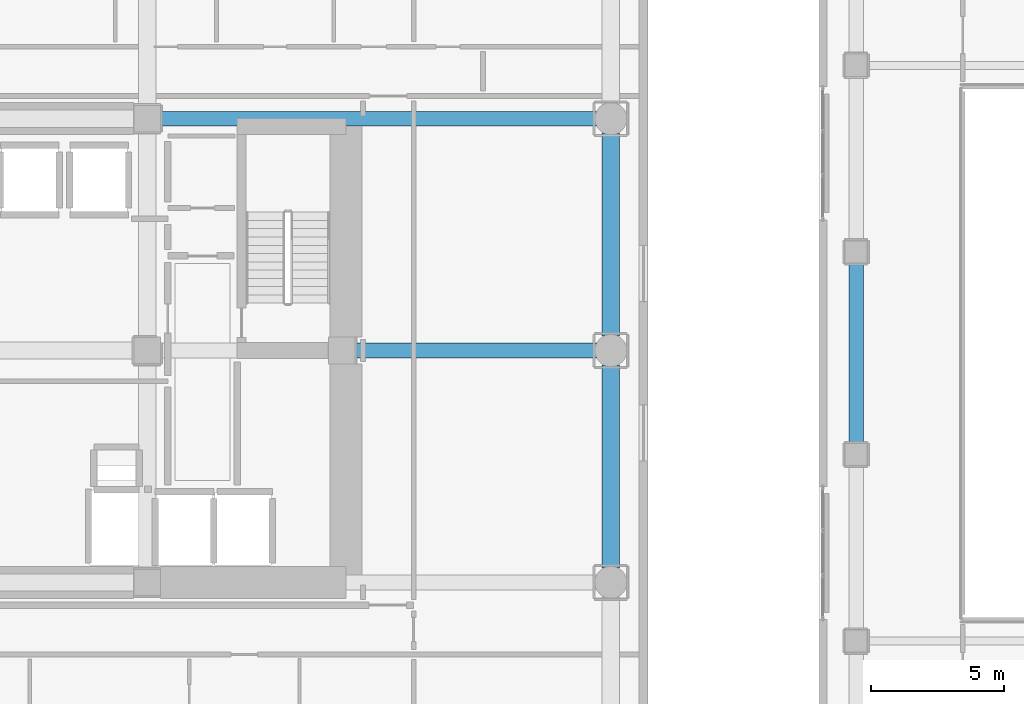
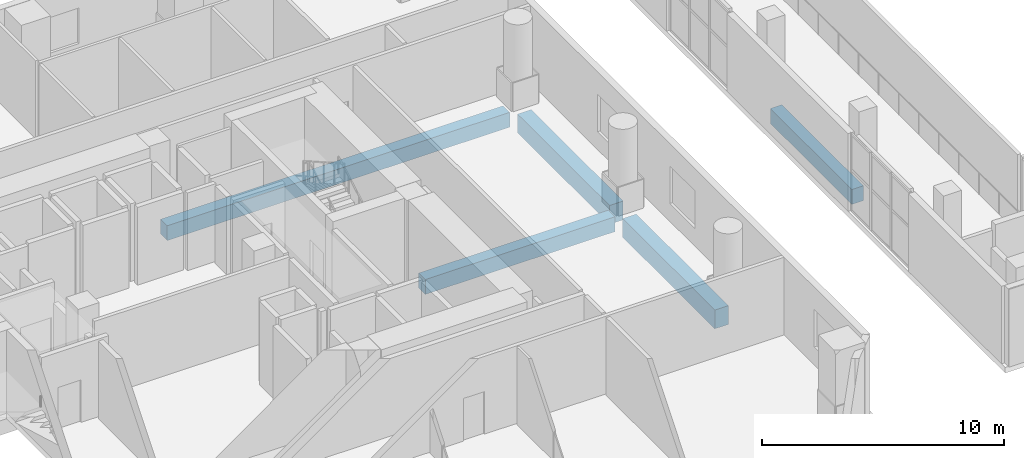
# One storey, part 7 of 20: 5 beams.
"""IFC4 building model written with IfcOpenShell, lengths in metres."""

from ifc_helpers import new_model, si_unit, direction, frame, origin, origin_2d, place, context, subcontext, project, spatial, rectangle, extrude, material, material_profile, profile_set, type_object, element, save


model = new_model("IFC4")

# Units and contexts
model_context = context("Model", 3, precision=1e-05, world=origin(), true_north=direction((0.0, 1.0)))
body_context = subcontext(model_context, "Body", "Model", "MODEL_VIEW")
ifc_project = project(units=[si_unit("LENGTHUNIT", "METRE"), si_unit("AREAUNIT", "SQUARE_METRE"), si_unit("VOLUMEUNIT", "CUBIC_METRE"), si_unit("PLANEANGLEUNIT", "RADIAN"), si_unit("MASSUNIT", "GRAM", prefix="KILO")], contexts=[model_context])

# Site, building, storey
site_placement = place(None, origin())
site = spatial("IfcSite", under=ifc_project, at=site_placement, CompositionType="ELEMENT")
building_placement = place(site_placement, origin())
building = spatial("IfcBuilding", under=site, at=building_placement, Name="Solanera Arch Residences", CompositionType="ELEMENT")
storey_placement = place(building_placement, frame((0.0, 0.0, 9.39990234375)))
storey = spatial("IfcBuildingStorey", under=building, at=storey_placement, Name="L02", CompositionType="ELEMENT", Elevation=9.39990234375)

# Beams
ifc_material_1 = material(Name="Concrete C40/50 (f'c = 45 MPa)", Category="concrete")
ifc_material_profile_1 = material_profile(ifc_material_1, rectangle(XDim=0.550048828125, YDim=0.75, at=origin_2d()))
ifc_profile_set_1 = profile_set([ifc_material_profile_1], Name="Concrete C40/50 (f'c = 45 MPa)")
beam_type_1 = type_object("IfcBeamType", Name="Primary Beam RC-BM-550X750", PredefinedType="BEAM", material=ifc_profile_set_1)
beam_1_placement = place(storey_placement, frame((37.00390625, 30.699951171875, -0.65478515625), z_axis=(1.0, 0.0, 0.0), x_axis=(0.0, 1.0, 0.0)))
element("IfcBeam", 1, at=beam_1_placement, inside=storey, type_object=beam_type_1, Name="BM-L02-POD-RE-30", PredefinedType="BEAM", context=body_context, shape_type="SweptSolid", body=[
    extrude(rectangle(XDim=0.550048828125, YDim=0.75, at=origin_2d()), origin(), (0.0, 0.0, 1.0), 9.05615234375),
])
beam_2_placement = place(storey_placement, frame((29.7041015625, 39.39990234375, -0.65478515625), z_axis=(1.0, 0.0, 0.0), x_axis=(0.0, 1.0, 0.0)))
element("IfcBeam", 2, at=beam_2_placement, inside=storey, type_object=beam_type_1, Name="BM-L02-POD-RE-39", PredefinedType="BEAM", context=body_context, shape_type="SweptSolid", body=[
    extrude(rectangle(XDim=0.550048828125, YDim=0.75, at=origin_2d()), origin(), (0.0, 0.0, 1.0), 16.35595703125),
])
beam_3_placement = place(storey_placement, frame((55.800048828125, 27.22509765625, -0.65478515625), z_axis=(0.0, 1.0, 0.0), x_axis=(-1.0, 0.0, 0.0)))
element("IfcBeam", 3, at=beam_3_placement, inside=storey, type_object=beam_type_1, Name="BM-L02-HW-3", PredefinedType="BEAM", context=body_context, shape_type="SweptSolid", body=[
    extrude(rectangle(XDim=0.550048828125, YDim=0.75, at=origin_2d()), origin(), (0.0, 0.0, 1.0), 6.75),
])
ifc_material_2 = material(Name="Concrete C40/50 (f'c = 45 MPa)", Category="concrete")
ifc_material_profile_2 = material_profile(ifc_material_2, rectangle(XDim=0.64990234375, YDim=0.949951171875, at=origin_2d()))
ifc_profile_set_2 = profile_set([ifc_material_profile_2], Name="Concrete C40/50 (f'c = 45 MPa)")
beam_type_2 = type_object("IfcBeamType", Name="Primary Beam RC-BM-650X950", PredefinedType="BEAM", material=ifc_profile_set_2)
beam_4_placement = place(storey_placement, frame((46.60009765625, 22.5400390625, -0.7548828125), z_axis=(0.0, 1.0, 0.0), x_axis=(-1.0, 0.0, 0.0)))
element("IfcBeam", 4, at=beam_4_placement, inside=storey, type_object=beam_type_2, Name="BM-L02-POD-E2", PredefinedType="BEAM", context=body_context, shape_type="SweptSolid", body=[
    extrude(rectangle(XDim=0.64990234375, YDim=0.949951171875, at=origin_2d()), origin(), (0.0, 0.0, 1.0), 7.619873046875),
])
beam_5_placement = place(storey_placement, frame((46.60009765625, 31.239990234375, -0.7548828125), z_axis=(0.0, 1.0, 0.0), x_axis=(-1.0, 0.0, 0.0)))
element("IfcBeam", 5, at=beam_5_placement, inside=storey, type_object=beam_type_2, Name="BM-L02-POD-E3", PredefinedType="BEAM", context=body_context, shape_type="SweptSolid", body=[
    extrude(rectangle(XDim=0.64990234375, YDim=0.949951171875, at=origin_2d()), origin(), (0.0, 0.0, 1.0), 7.6201171875),
])

save(model, "model.ifc")
